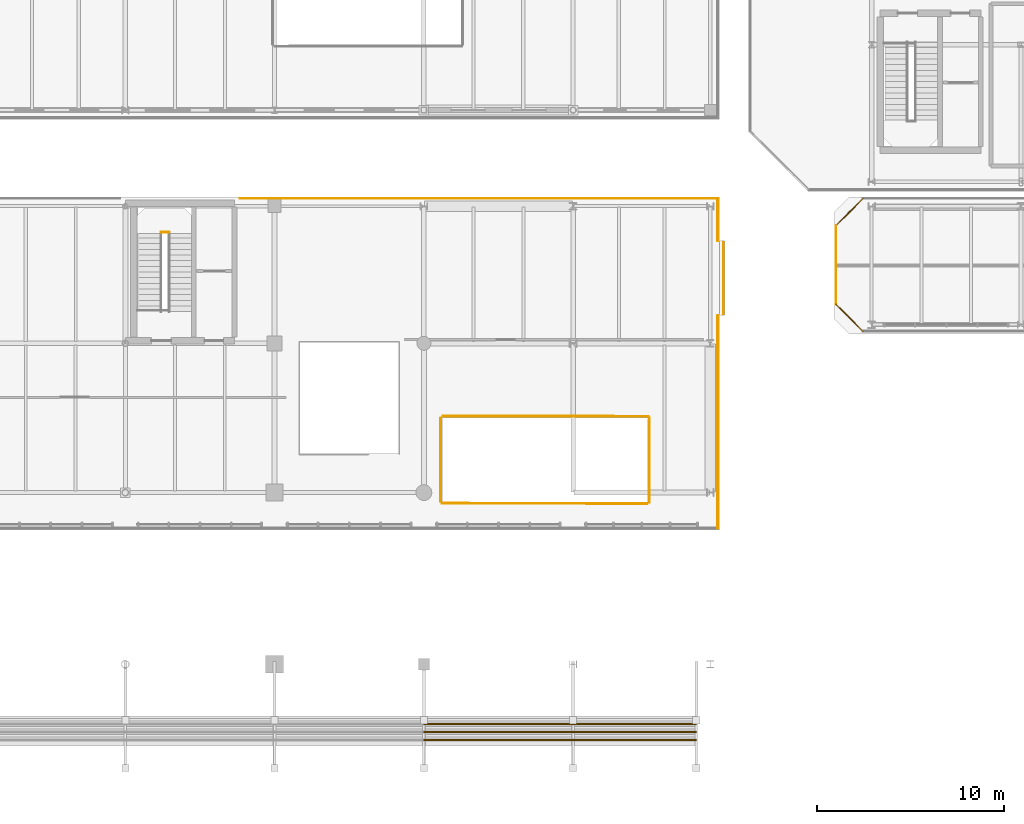
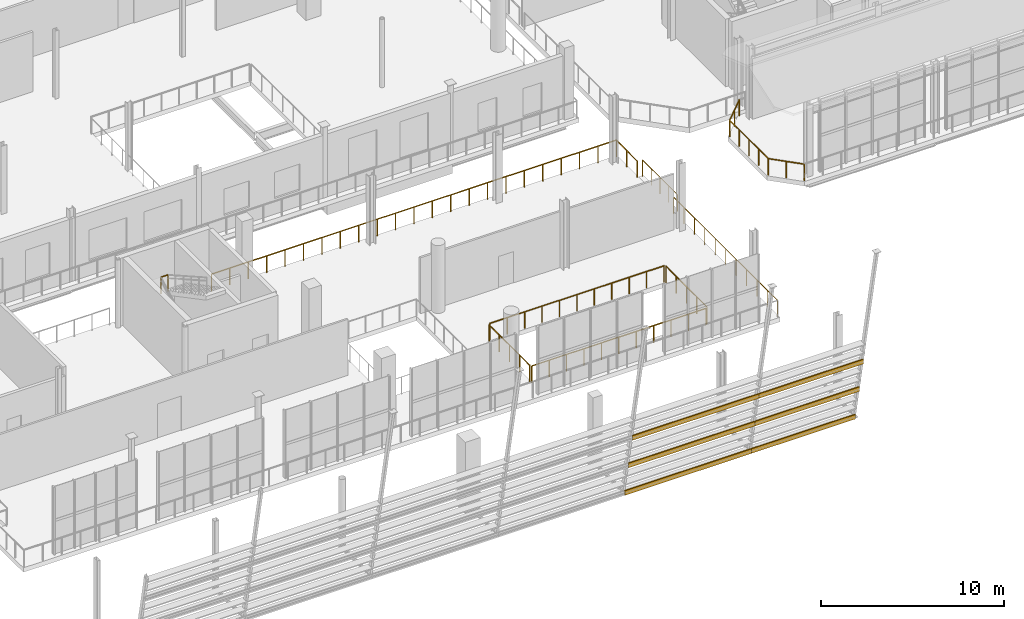
# One storey, part 80 of 93: 12 railings, 6 coverings.
"""IFC4 building model written with IfcOpenShell, lengths in metres."""

from ifc_helpers import new_model, si_unit, direction, frame, origin, origin_2d, place, context, subcontext, project, spatial, rectangle, circle, extrude, material, layer, layer_set, type_object, element, save


model = new_model("IFC4")

# Units and contexts
model_context = context("Model", 3, precision=1e-05, world=origin(), true_north=direction((0.0, 1.0)))
body_context = subcontext(model_context, "Body", "Model", "MODEL_VIEW")
ifc_project = project(units=[si_unit("LENGTHUNIT", "METRE"), si_unit("AREAUNIT", "SQUARE_METRE"), si_unit("VOLUMEUNIT", "CUBIC_METRE"), si_unit("PLANEANGLEUNIT", "RADIAN"), si_unit("MASSUNIT", "GRAM", prefix="KILO")], contexts=[model_context])

# Site, building, storey
site_placement = place(None, origin())
site = spatial("IfcSite", under=ifc_project, at=site_placement, CompositionType="ELEMENT")
building_placement = place(site_placement, origin())
building = spatial("IfcBuilding", under=site, at=building_placement, Name="Brisemont Oceanarium", CompositionType="ELEMENT")
storey_placement = place(building_placement, frame((0.0, 0.0, 5.39990234375)))
storey = spatial("IfcBuildingStorey", under=building, at=storey_placement, Name="L01", CompositionType="ELEMENT", Elevation=5.39990234375)

# Coverings
ifc_material_1 = material(Name="Architectural Bronze-Anodized Cedar Composite")
ifc_layer = layer(ifc_material_1, 0.044921875)
ifc_layer_set = layer_set([ifc_layer], Name="Architectural Bronze-Anodized Cedar Composite")
covering_type = type_object("IfcCoveringType", Name="COV-CLAD-CEDAR", PredefinedType="CLADDING", material=ifc_layer_set)
covering_1_placement = place(storey_placement, frame((44.0, 3.58642578125, -0.02001953125), z_axis=(0.0, 0.0, 1.0), x_axis=(1.0, 0.0, 0.0)))
element("IfcCovering", 1, at=covering_1_placement, inside=storey, type_object=covering_type, Name="V2 stepped spandrel cladding course 1.5", PredefinedType="CLADDING", context=body_context, shape_type="SweptSolid", body=[
    extrude(rectangle(XDim=8.0, YDim=0.080078125, at=origin_2d()), origin(), (0.0, 0.0, 1.0), 0.300048828125),
])
covering_2_placement = place(storey_placement, frame((51.300048828125, 3.58642578125, -0.02001953125), z_axis=(0.0, 0.0, 1.0), x_axis=(1.0, 0.0, 0.0)))
element("IfcCovering", 2, at=covering_2_placement, inside=storey, type_object=covering_type, Name="V2 stepped spandrel cladding course 1.6", PredefinedType="CLADDING", context=body_context, shape_type="SweptSolid", body=[
    extrude(rectangle(XDim=6.60009765625, YDim=0.080078125, at=origin_2d()), origin(), (0.0, 0.0, 1.0), 0.300048828125),
])
covering_3_placement = place(storey_placement, frame((44.0, 3.1591796875, 2.080078125), z_axis=(0.0, 0.0, 1.0), x_axis=(1.0, 0.0, 0.0)))
element("IfcCovering", 3, at=covering_3_placement, inside=storey, type_object=covering_type, Name="V2 stepped spandrel cladding course 2.5", PredefinedType="CLADDING", context=body_context, shape_type="SweptSolid", body=[
    extrude(rectangle(XDim=8.0, YDim=0.080078125, at=origin_2d()), origin(), (0.0, 0.0, 1.0), 0.300048828125),
])
covering_4_placement = place(storey_placement, frame((51.300048828125, 3.1591796875, 2.080078125), z_axis=(0.0, 0.0, 1.0), x_axis=(1.0, 0.0, 0.0)))
element("IfcCovering", 4, at=covering_4_placement, inside=storey, type_object=covering_type, Name="V2 stepped spandrel cladding course 2.6", PredefinedType="CLADDING", context=body_context, shape_type="SweptSolid", body=[
    extrude(rectangle(XDim=6.60009765625, YDim=0.080078125, at=origin_2d()), origin(), (0.0, 0.0, 1.0), 0.300048828125),
])
covering_5_placement = place(storey_placement, frame((44.0, 2.73193359375, 4.18017578125), z_axis=(0.0, 0.0, 1.0), x_axis=(1.0, 0.0, 0.0)))
element("IfcCovering", 5, at=covering_5_placement, inside=storey, type_object=covering_type, Name="V2 stepped spandrel cladding course 3.5", PredefinedType="CLADDING", context=body_context, shape_type="SweptSolid", body=[
    extrude(rectangle(XDim=8.0, YDim=0.080078125, at=origin_2d()), origin(), (0.0, 0.0, 1.0), 0.300048828125),
])
covering_6_placement = place(storey_placement, frame((51.300048828125, 2.73193359375, 4.18017578125), z_axis=(0.0, 0.0, 1.0), x_axis=(1.0, 0.0, 0.0)))
element("IfcCovering", 6, at=covering_6_placement, inside=storey, type_object=covering_type, Name="V2 stepped spandrel cladding course 3.6", PredefinedType="CLADDING", context=body_context, shape_type="SweptSolid", body=[
    extrude(rectangle(XDim=6.60009765625, YDim=0.080078125, at=origin_2d()), origin(), (0.0, 0.0, 1.0), 0.300048828125),
])

# Railings
ifc_material_2 = material(Name="Beaux-Arts Limestone Balustrade Precast Concrete C40/50", Category="masonry")
railing_type_1 = type_object("IfcRailingType", Name="RLG-BAL-1140", PredefinedType="BALUSTRADE", material=ifc_material_2)
railing_1_placement = place(storey_placement, frame((30.14990234375, 31.759765625, 0.0)))
element("IfcRailing", 7, at=railing_1_placement, inside=storey, type_object=railing_type_1, Name="L01 slab perimeter safety guard 80", PredefinedType="BALUSTRADE", context=body_context, shape_type="SweptSolid", body=[
    extrude(circle(Radius=0.02392578125, at=origin_2d()), frame((0.0, 0.0, 1.11572265625), z_axis=(0.999999999955, 9.533161e-06, 0.0), x_axis=(-9.533161e-06, 0.999999999955, 0.0)), (0.0, 0.0, 1.0), 25.609619140625),
    extrude(circle(Radius=0.02099609375, at=origin_2d()), origin(), (0.0, 0.0, 1.0), 1.091796875),
    extrude(circle(Radius=0.02099609375, at=origin_2d()), frame((1.1640625, 0.0, 0.0)), (0.0, 0.0, 1.0), 1.091796875),
    extrude(circle(Radius=0.02099609375, at=origin_2d()), frame((2.328125, 0.0, 0.0)), (0.0, 0.0, 1.0), 1.091796875),
    extrude(circle(Radius=0.02099609375, at=origin_2d()), frame((3.4921875, 0.0, 0.0)), (0.0, 0.0, 1.0), 1.091796875),
    extrude(circle(Radius=0.02099609375, at=origin_2d()), frame((4.65625, 0.0, 0.0)), (0.0, 0.0, 1.0), 1.091796875),
    extrude(circle(Radius=0.02099609375, at=origin_2d()), frame((5.8203125, 0.0, 0.0)), (0.0, 0.0, 1.0), 1.091796875),
    extrude(circle(Radius=0.02099609375, at=origin_2d()), frame((6.984375, 0.0, 0.0)), (0.0, 0.0, 1.0), 1.091796875),
    extrude(circle(Radius=0.02099609375, at=origin_2d()), frame((8.1484375, 0.0, 0.0)), (0.0, 0.0, 1.0), 1.091796875),
    extrude(circle(Radius=0.02099609375, at=origin_2d()), frame((9.3125, 0.0, 0.0)), (0.0, 0.0, 1.0), 1.091796875),
    extrude(circle(Radius=0.02099609375, at=origin_2d()), frame((10.4765625, 0.0, 0.0)), (0.0, 0.0, 1.0), 1.091796875),
    extrude(circle(Radius=0.02099609375, at=origin_2d()), frame((11.640625, 0.0, 0.0)), (0.0, 0.0, 1.0), 1.091796875),
    extrude(circle(Radius=0.02099609375, at=origin_2d()), frame((12.8046875, 0.0, 0.0)), (0.0, 0.0, 1.0), 1.091796875),
    extrude(circle(Radius=0.02099609375, at=origin_2d()), frame((13.968994140625, 0.000244140625, 0.0)), (0.0, 0.0, 1.0), 1.091796875),
    extrude(circle(Radius=0.02099609375, at=origin_2d()), frame((15.133056640625, 0.000244140625, 0.0)), (0.0, 0.0, 1.0), 1.091796875),
    extrude(circle(Radius=0.02099609375, at=origin_2d()), frame((16.297119140625, 0.000244140625, 0.0)), (0.0, 0.0, 1.0), 1.091796875),
    extrude(circle(Radius=0.02099609375, at=origin_2d()), frame((17.461181640625, 0.000244140625, 0.0)), (0.0, 0.0, 1.0), 1.091796875),
    extrude(circle(Radius=0.02099609375, at=origin_2d()), frame((18.625244140625, 0.000244140625, 0.0)), (0.0, 0.0, 1.0), 1.091796875),
    extrude(circle(Radius=0.02099609375, at=origin_2d()), frame((19.789306640625, 0.000244140625, 0.0)), (0.0, 0.0, 1.0), 1.091796875),
    extrude(circle(Radius=0.02099609375, at=origin_2d()), frame((20.953369140625, 0.000244140625, 0.0)), (0.0, 0.0, 1.0), 1.091796875),
    extrude(circle(Radius=0.02099609375, at=origin_2d()), frame((22.117431640625, 0.000244140625, 0.0)), (0.0, 0.0, 1.0), 1.091796875),
    extrude(circle(Radius=0.02099609375, at=origin_2d()), frame((23.281494140625, 0.000244140625, 0.0)), (0.0, 0.0, 1.0), 1.091796875),
    extrude(circle(Radius=0.02099609375, at=origin_2d()), frame((24.445556640625, 0.000244140625, 0.0)), (0.0, 0.0, 1.0), 1.091796875),
    extrude(circle(Radius=0.02099609375, at=origin_2d()), frame((25.609619140625, 0.000244140625, 0.0)), (0.0, 0.0, 1.0), 1.091796875),
])
railing_2_placement = place(storey_placement, frame((52.079833984375, 15.473876953125, 0.0)))
element("IfcRailing", 8, at=railing_2_placement, inside=storey, type_object=railing_type_1, Name="L01 slab perimeter safety guard 88", PredefinedType="BALUSTRADE", context=body_context, shape_type="SweptSolid", body=[
    extrude(circle(Radius=0.02392578125, at=origin_2d()), frame((0.0, 0.0, 1.11572265625), z_axis=(0.002275553517, 0.999997410925, 0.0), x_axis=(-0.999997410925, 0.002275553517, 0.0)), (0.0, 0.0, 1.0), 4.506103515625),
    extrude(circle(Radius=0.02099609375, at=origin_2d()), origin(), (0.0, 0.0, 1.0), 1.091796875),
    extrude(circle(Radius=0.02099609375, at=origin_2d()), frame((0.00244140625, 1.12646484375, 0.0)), (0.0, 0.0, 1.0), 1.091796875),
    extrude(circle(Radius=0.02099609375, at=origin_2d()), frame((0.005126953125, 2.2529296875, 0.0)), (0.0, 0.0, 1.0), 1.091796875),
    extrude(circle(Radius=0.02099609375, at=origin_2d()), frame((0.0078125, 3.379638671875, 0.0)), (0.0, 0.0, 1.0), 1.091796875),
    extrude(circle(Radius=0.02099609375, at=origin_2d()), frame((0.01025390625, 4.506103515625, 0.0)), (0.0, 0.0, 1.0), 1.091796875),
])
ifc_material_3 = material(Name="Duplex Stainless Steel EN 1.4462", Category="steel")
railing_type_2 = type_object("IfcRailingType", Name="RLG-GUARD-1120", PredefinedType="GUARDRAIL", material=ifc_material_3)
railing_3_placement = place(storey_placement, frame((25.909912109375, 29.949951171875, 2.400146484375)))
element("IfcRailing", 9, at=railing_3_placement, inside=storey, type_object=railing_type_2, Name="ST-03 L01 landing slot guard", PredefinedType="GUARDRAIL", context=body_context, shape_type="SweptSolid", body=[
    extrude(circle(Radius=0.02392578125, at=origin_2d()), frame((0.0, 0.0, 1.09619140625), z_axis=(1.0, 0.0, 0.0), x_axis=(0.0, 1.0, 0.0)), (0.0, 0.0, 1.0), 0.440185546875),
    extrude(circle(Radius=0.02099609375, at=origin_2d()), origin(), (0.0, 0.0, 1.0), 1.072021484375),
    extrude(circle(Radius=0.02099609375, at=origin_2d()), frame((0.440185546875, 0.0, 0.0)), (0.0, 0.0, 1.0), 1.072021484375),
])
railing_4_placement = place(storey_placement, frame((62.090087890625, 26.08740234375, 0.0)))
element("IfcRailing", 10, at=railing_4_placement, inside=storey, type_object=railing_type_2, Name="L01 slab perimeter safety guard 57", PredefinedType="GUARDRAIL", context=body_context, shape_type="SweptSolid", body=[
    extrude(circle(Radius=0.02392578125, at=origin_2d()), frame((0.0, 0.0, 1.09619140625), z_axis=(0.0, 1.0, 0.0), x_axis=(-1.0, 0.0, 0.0)), (0.0, 0.0, 1.0), 4.225341796875),
    extrude(circle(Radius=0.02099609375, at=origin_2d()), origin(), (0.0, 0.0, 1.0), 1.072021484375),
    extrude(circle(Radius=0.02099609375, at=origin_2d()), frame((0.0, 1.056396484375, 0.0)), (0.0, 0.0, 1.0), 1.072021484375),
    extrude(circle(Radius=0.02099609375, at=origin_2d()), frame((0.0, 2.11279296875, 0.0)), (0.0, 0.0, 1.0), 1.072021484375),
    extrude(circle(Radius=0.02099609375, at=origin_2d()), frame((0.0, 3.1689453125, 0.0)), (0.0, 0.0, 1.0), 1.072021484375),
    extrude(circle(Radius=0.02099609375, at=origin_2d()), frame((0.0, 4.225341796875, 0.0)), (0.0, 0.0, 1.0), 1.072021484375),
])
railing_5_placement = place(storey_placement, frame((62.090087890625, 30.312744140625, 0.0)))
element("IfcRailing", 11, at=railing_5_placement, inside=storey, type_object=railing_type_2, Name="L01 slab perimeter safety guard 58", PredefinedType="GUARDRAIL", context=body_context, shape_type="SweptSolid", body=[
    extrude(circle(Radius=0.02392578125, at=origin_2d()), frame((0.0, 0.0, 1.09619140625), z_axis=(0.707106781187, 0.707106781187, 0.0), x_axis=(-0.707106781187, 0.707106781187, 0.0)), (0.0, 0.0, 1.0), 2.046630859375),
    extrude(circle(Radius=0.02099609375, at=origin_2d()), origin(), (0.0, 0.0, 1.0), 1.072021484375),
    extrude(circle(Radius=0.02099609375, at=origin_2d()), frame((0.7236328125, 0.7236328125, 0.0)), (0.0, 0.0, 1.0), 1.072021484375),
    extrude(circle(Radius=0.02099609375, at=origin_2d()), frame((1.447265625, 1.447265625, 0.0)), (0.0, 0.0, 1.0), 1.072021484375),
])
railing_6_placement = place(storey_placement, frame((63.537353515625, 24.639892578125, 0.0)))
element("IfcRailing", 12, at=railing_6_placement, inside=storey, type_object=railing_type_2, Name="L01 slab perimeter safety guard 65", PredefinedType="GUARDRAIL", context=body_context, shape_type="SweptSolid", body=[
    extrude(circle(Radius=0.02392578125, at=origin_2d()), frame((0.0, 0.0, 1.09619140625), z_axis=(-0.707047142442, 0.707166414902, 0.0), x_axis=(-0.707166414902, -0.707047142442, 0.0)), (0.0, 0.0, 1.0), 2.046875),
    extrude(circle(Radius=0.02099609375, at=origin_2d()), origin(), (0.0, 0.0, 1.0), 1.072021484375),
    extrude(circle(Radius=0.02099609375, at=origin_2d()), frame((-0.7236328125, 0.7236328125, 0.0)), (0.0, 0.0, 1.0), 1.072021484375),
    extrude(circle(Radius=0.02099609375, at=origin_2d()), frame((-1.447265625, 1.447509765625, 0.0)), (0.0, 0.0, 1.0), 1.072021484375),
])
railing_7_placement = place(storey_placement, frame((55.759521484375, 31.760009765625, 0.0)))
element("IfcRailing", 13, at=railing_7_placement, inside=storey, type_object=railing_type_2, Name="L01 slab perimeter safety guard 81", PredefinedType="GUARDRAIL", context=body_context, shape_type="SweptSolid", body=[
    extrude(circle(Radius=0.02392578125, at=origin_2d()), frame((0.0, 0.0, 1.09619140625), z_axis=(0.000646203419, -0.999999791211, 0.0), x_axis=(0.999999791211, 0.000646203419, 0.0)), (0.0, 0.0, 1.0), 2.266845703125),
    extrude(circle(Radius=0.02099609375, at=origin_2d()), origin(), (0.0, 0.0, 1.0), 1.072021484375),
    extrude(circle(Radius=0.02099609375, at=origin_2d()), frame((0.000732421875, -1.13330078125, 0.0)), (0.0, 0.0, 1.0), 1.072021484375),
    extrude(circle(Radius=0.02099609375, at=origin_2d()), frame((0.00146484375, -2.266845703125, 0.0)), (0.0, 0.0, 1.0), 1.072021484375),
])
railing_8_placement = place(storey_placement, frame((56.06005859375, 29.409912109375, 0.0)))
element("IfcRailing", 14, at=railing_8_placement, inside=storey, type_object=railing_type_2, Name="L01 slab perimeter safety guard 82", PredefinedType="GUARDRAIL", context=body_context, shape_type="SweptSolid", body=[
    extrude(circle(Radius=0.02392578125, at=origin_2d()), frame((0.0, 0.0, 1.09619140625), z_axis=(0.0, -1.0, 0.0), x_axis=(1.0, 0.0, 0.0)), (0.0, 0.0, 1.0), 3.81982421875),
    extrude(circle(Radius=0.02099609375, at=origin_2d()), origin(), (0.0, 0.0, 1.0), 1.072021484375),
    extrude(circle(Radius=0.02099609375, at=origin_2d()), frame((0.0, -0.955078125, 0.0)), (0.0, 0.0, 1.0), 1.072021484375),
    extrude(circle(Radius=0.02099609375, at=origin_2d()), frame((0.0, -1.909912109375, 0.0)), (0.0, 0.0, 1.0), 1.072021484375),
    extrude(circle(Radius=0.02099609375, at=origin_2d()), frame((0.0, -2.86474609375, 0.0)), (0.0, 0.0, 1.0), 1.072021484375),
    extrude(circle(Radius=0.02099609375, at=origin_2d()), frame((0.0, -3.81982421875, 0.0)), (0.0, 0.0, 1.0), 1.072021484375),
])
railing_9_placement = place(storey_placement, frame((55.760009765625, 25.49169921875, 0.0)))
element("IfcRailing", 15, at=railing_9_placement, inside=storey, type_object=railing_type_2, Name="L01 slab perimeter safety guard 83", PredefinedType="GUARDRAIL", context=body_context, shape_type="SweptSolid", body=[
    extrude(circle(Radius=0.02392578125, at=origin_2d()), frame((0.0, 0.0, 1.09619140625), z_axis=(0.0, -1.0, 0.0), x_axis=(1.0, 0.0, 0.0)), (0.0, 0.0, 1.0), 11.401123046875),
    extrude(circle(Radius=0.02099609375, at=origin_2d()), origin(), (0.0, 0.0, 1.0), 1.072021484375),
    extrude(circle(Radius=0.02099609375, at=origin_2d()), frame((0.0, -1.14013671875, 0.0)), (0.0, 0.0, 1.0), 1.072021484375),
    extrude(circle(Radius=0.02099609375, at=origin_2d()), frame((0.0, -2.2802734375, 0.0)), (0.0, 0.0, 1.0), 1.072021484375),
    extrude(circle(Radius=0.02099609375, at=origin_2d()), frame((0.0, -3.42041015625, 0.0)), (0.0, 0.0, 1.0), 1.072021484375),
    extrude(circle(Radius=0.02099609375, at=origin_2d()), frame((0.0, -4.560546875, 0.0)), (0.0, 0.0, 1.0), 1.072021484375),
    extrude(circle(Radius=0.02099609375, at=origin_2d()), frame((0.0, -5.70068359375, 0.0)), (0.0, 0.0, 1.0), 1.072021484375),
    extrude(circle(Radius=0.02099609375, at=origin_2d()), frame((0.0, -6.840576171875, 0.0)), (0.0, 0.0, 1.0), 1.072021484375),
    extrude(circle(Radius=0.02099609375, at=origin_2d()), frame((0.0, -7.980712890625, 0.0)), (0.0, 0.0, 1.0), 1.072021484375),
    extrude(circle(Radius=0.02099609375, at=origin_2d()), frame((0.0, -9.120849609375, 0.0)), (0.0, 0.0, 1.0), 1.072021484375),
    extrude(circle(Radius=0.02099609375, at=origin_2d()), frame((0.0, -10.260986328125, 0.0)), (0.0, 0.0, 1.0), 1.072021484375),
    extrude(circle(Radius=0.02099609375, at=origin_2d()), frame((0.0, -11.401123046875, 0.0)), (0.0, 0.0, 1.0), 1.072021484375),
])
railing_10_placement = place(storey_placement, frame((40.909912109375, 19.97998046875, 0.0)))
element("IfcRailing", 16, at=railing_10_placement, inside=storey, type_object=railing_type_2, Name="L01 slab perimeter safety guard 86", PredefinedType="GUARDRAIL", context=body_context, shape_type="SweptSolid", body=[
    extrude(circle(Radius=0.02392578125, at=origin_2d()), frame((0.0, 0.0, 1.09619140625), z_axis=(0.0, -1.0, 0.0), x_axis=(1.0, 0.0, 0.0)), (0.0, 0.0, 1.0), 4.4599609375),
    extrude(circle(Radius=0.02099609375, at=origin_2d()), origin(), (0.0, 0.0, 1.0), 1.072021484375),
    extrude(circle(Radius=0.02099609375, at=origin_2d()), frame((0.0, -1.114990234375, 0.0)), (0.0, 0.0, 1.0), 1.072021484375),
    extrude(circle(Radius=0.02099609375, at=origin_2d()), frame((0.0, -2.22998046875, 0.0)), (0.0, 0.0, 1.0), 1.072021484375),
    extrude(circle(Radius=0.02099609375, at=origin_2d()), frame((0.0, -3.344970703125, 0.0)), (0.0, 0.0, 1.0), 1.072021484375),
    extrude(circle(Radius=0.02099609375, at=origin_2d()), frame((0.0, -4.4599609375, 0.0)), (0.0, 0.0, 1.0), 1.072021484375),
])
railing_11_placement = place(storey_placement, frame((40.973876953125, 15.420166015625, 0.0)))
element("IfcRailing", 17, at=railing_11_placement, inside=storey, type_object=railing_type_2, Name="L01 slab perimeter safety guard 87", PredefinedType="GUARDRAIL", context=body_context, shape_type="SweptSolid", body=[
    extrude(circle(Radius=0.02392578125, at=origin_2d()), frame((0.0, 0.0, 1.09619140625), z_axis=(0.999999566009, -0.000931655948, 0.0), x_axis=(0.000931655948, 0.999999566009, 0.0)), (0.0, 0.0, 1.0), 11.006103515625),
    extrude(circle(Radius=0.02099609375, at=origin_2d()), origin(), (0.0, 0.0, 1.0), 1.072021484375),
    extrude(circle(Radius=0.02099609375, at=origin_2d()), frame((1.1005859375, -0.0009765625, 0.0)), (0.0, 0.0, 1.0), 1.072021484375),
    extrude(circle(Radius=0.02099609375, at=origin_2d()), frame((2.201171875, -0.001953125, 0.0)), (0.0, 0.0, 1.0), 1.072021484375),
    extrude(circle(Radius=0.02099609375, at=origin_2d()), frame((3.3017578125, -0.003173828125, 0.0)), (0.0, 0.0, 1.0), 1.072021484375),
    extrude(circle(Radius=0.02099609375, at=origin_2d()), frame((4.40234375, -0.004150390625, 0.0)), (0.0, 0.0, 1.0), 1.072021484375),
    extrude(circle(Radius=0.02099609375, at=origin_2d()), frame((5.5029296875, -0.005126953125, 0.0)), (0.0, 0.0, 1.0), 1.072021484375),
    extrude(circle(Radius=0.02099609375, at=origin_2d()), frame((6.603759765625, -0.006103515625, 0.0)), (0.0, 0.0, 1.0), 1.072021484375),
    extrude(circle(Radius=0.02099609375, at=origin_2d()), frame((7.704345703125, -0.007080078125, 0.0)), (0.0, 0.0, 1.0), 1.072021484375),
    extrude(circle(Radius=0.02099609375, at=origin_2d()), frame((8.804931640625, -0.00830078125, 0.0)), (0.0, 0.0, 1.0), 1.072021484375),
    extrude(circle(Radius=0.02099609375, at=origin_2d()), frame((9.905517578125, -0.00927734375, 0.0)), (0.0, 0.0, 1.0), 1.072021484375),
    extrude(circle(Radius=0.02099609375, at=origin_2d()), frame((11.006103515625, -0.01025390625, 0.0)), (0.0, 0.0, 1.0), 1.072021484375),
])
railing_12_placement = place(storey_placement, frame((52.026123046875, 20.079833984375, 0.0)))
element("IfcRailing", 18, at=railing_12_placement, inside=storey, type_object=railing_type_2, Name="L01 slab perimeter safety guard 89", PredefinedType="GUARDRAIL", context=body_context, shape_type="SweptSolid", body=[
    extrude(circle(Radius=0.02392578125, at=origin_2d()), frame((0.0, 0.0, 1.09619140625), z_axis=(-0.999999566009, 0.000931655948, 0.0), x_axis=(-0.000931655948, -0.999999566009, 0.0)), (0.0, 0.0, 1.0), 11.006103515625),
    extrude(circle(Radius=0.02099609375, at=origin_2d()), origin(), (0.0, 0.0, 1.0), 1.072021484375),
    extrude(circle(Radius=0.02099609375, at=origin_2d()), frame((-1.1005859375, 0.0009765625, 0.0)), (0.0, 0.0, 1.0), 1.072021484375),
    extrude(circle(Radius=0.02099609375, at=origin_2d()), frame((-2.201171875, 0.001953125, 0.0)), (0.0, 0.0, 1.0), 1.072021484375),
    extrude(circle(Radius=0.02099609375, at=origin_2d()), frame((-3.3017578125, 0.003173828125, 0.0)), (0.0, 0.0, 1.0), 1.072021484375),
    extrude(circle(Radius=0.02099609375, at=origin_2d()), frame((-4.40234375, 0.004150390625, 0.0)), (0.0, 0.0, 1.0), 1.072021484375),
    extrude(circle(Radius=0.02099609375, at=origin_2d()), frame((-5.5029296875, 0.005126953125, 0.0)), (0.0, 0.0, 1.0), 1.072021484375),
    extrude(circle(Radius=0.02099609375, at=origin_2d()), frame((-6.603759765625, 0.006103515625, 0.0)), (0.0, 0.0, 1.0), 1.072021484375),
    extrude(circle(Radius=0.02099609375, at=origin_2d()), frame((-7.704345703125, 0.007080078125, 0.0)), (0.0, 0.0, 1.0), 1.072021484375),
    extrude(circle(Radius=0.02099609375, at=origin_2d()), frame((-8.804931640625, 0.00830078125, 0.0)), (0.0, 0.0, 1.0), 1.072021484375),
    extrude(circle(Radius=0.02099609375, at=origin_2d()), frame((-9.905517578125, 0.00927734375, 0.0)), (0.0, 0.0, 1.0), 1.072021484375),
    extrude(circle(Radius=0.02099609375, at=origin_2d()), frame((-11.006103515625, 0.01025390625, 0.0)), (0.0, 0.0, 1.0), 1.072021484375),
])

save(model, "model.ifc")
